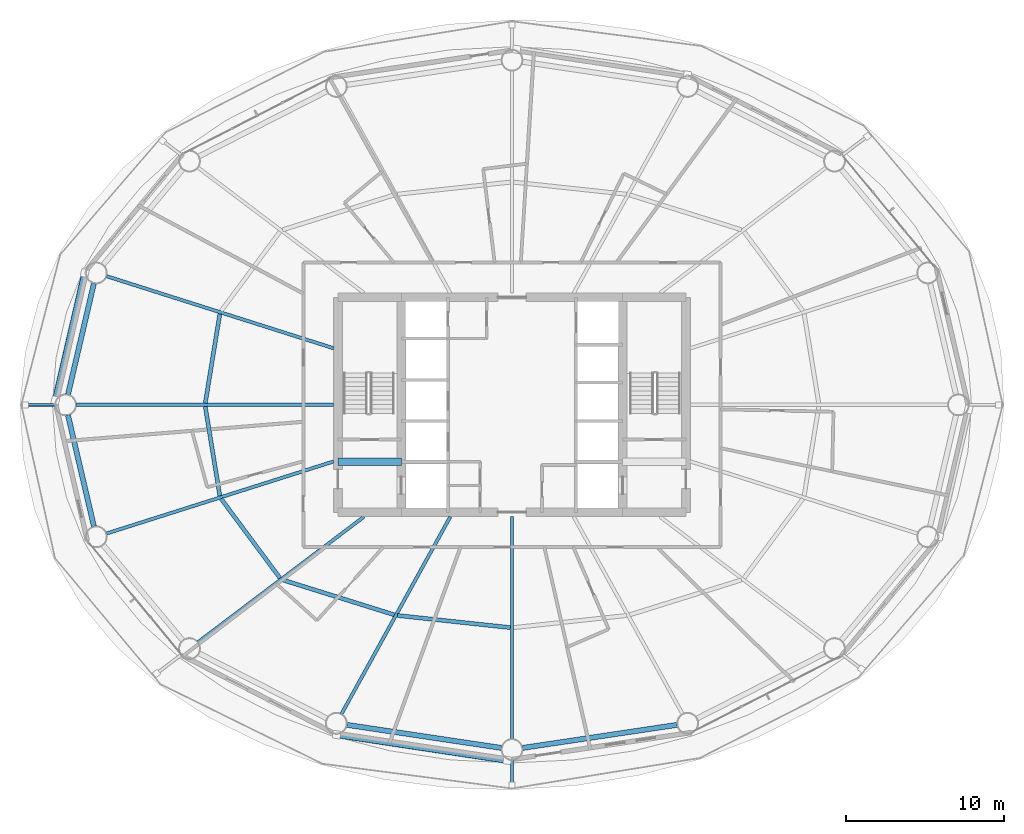
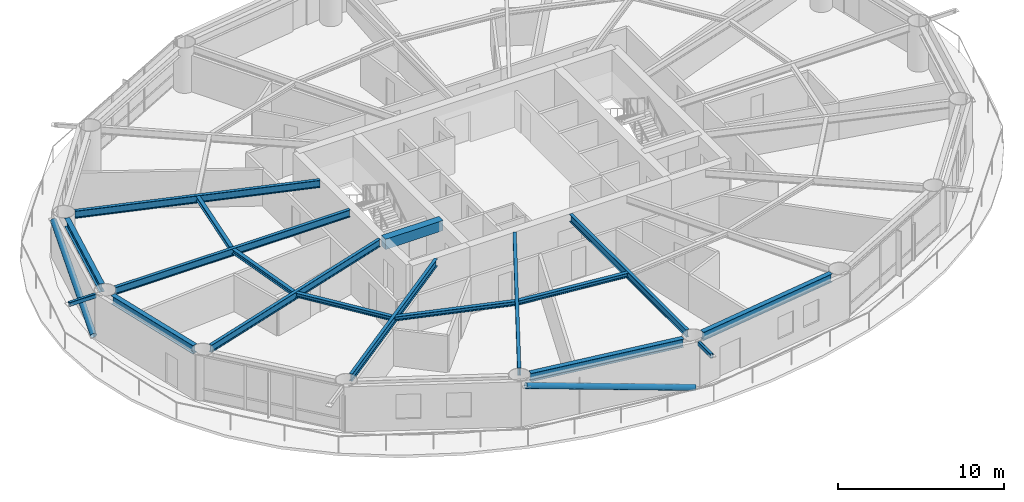
# One storey, part 3 of 24: 16 beams, 4 members.
"""IFC4 building model written with IfcOpenShell, lengths in metres."""

from ifc_helpers import new_model, si_unit, direction, frame, origin, origin_2d, place, context, subcontext, project, spatial, rectangle, hollow_rectangle, hollow_circle, i_section, extrude, material, material_profile, profile_set, type_object, element, save


model = new_model("IFC4")

# Units and contexts
model_context = context("Model", 3, precision=1e-05, world=origin(), true_north=direction((0.0, 1.0)))
body_context = subcontext(model_context, "Body", "Model", "MODEL_VIEW")
ifc_project = project(units=[si_unit("LENGTHUNIT", "METRE"), si_unit("AREAUNIT", "SQUARE_METRE"), si_unit("VOLUMEUNIT", "CUBIC_METRE"), si_unit("PLANEANGLEUNIT", "RADIAN"), si_unit("MASSUNIT", "GRAM", prefix="KILO")], contexts=[model_context])

# Site, building, storey
site_placement = place(None, origin())
site = spatial("IfcSite", under=ifc_project, at=site_placement, CompositionType="ELEMENT")
building_placement = place(site_placement, origin())
building = spatial("IfcBuilding", under=site, at=building_placement, Name="Sarneth Arch Tower", CompositionType="ELEMENT")
storey_placement = place(building_placement, frame((0.0, 0.0, 130.800048828125)))
storey = spatial("IfcBuildingStorey", under=building, at=storey_placement, Name="L33", CompositionType="ELEMENT", Elevation=130.800048828125)

# Beams
ifc_material_1 = material(Name="Steel S355", Category="steel")
ifc_material_profile_1 = material_profile(ifc_material_1, i_section(OverallWidth=0.25390625, OverallDepth=0.305908203125, WebThickness=0.0087890625, FlangeThickness=0.0146484375, FilletRadius=0.014892578125, at=origin_2d()), Name="W310x79")
ifc_profile_set_1 = profile_set([ifc_material_profile_1], Name="Steel S355")
beam_type_1 = type_object("IfcBeamType", Name="BM-JOIST-310A", PredefinedType="JOIST", material=ifc_profile_set_1)
for number, where, z_axis, x_axis, name in (
    (1, (29.521484375, 47.75390625, 3.1669921875), (-0.16120310833, -0.986921252109, 0.0), (0.986921252109, -0.16120310833, 0.0), "L33 Secondary floor joist 08"),
    (2, (28.5986328125, 41.89599609375, 3.1669921875), (0.16120310833, -0.986921252109, 0.0), (0.986921252109, 0.16120310833, 0.0), "L33 Secondary floor joist 09"),
):
    element("IfcBeam", number, at=place(storey_placement, frame(where, z_axis=z_axis, x_axis=x_axis)), inside=storey, type_object=beam_type_1, Name=name, PredefinedType="JOIST", context=body_context, shape_type="SweptSolid", body=[
        extrude(i_section(OverallWidth=0.25390625, OverallDepth=0.305908203125, WebThickness=0.0087890625, FlangeThickness=0.0146484375, FilletRadius=0.014892578125, at=origin_2d()), origin(), (0.0, 0.0, 1.0), 5.724853515625),
    ])
beam_1_placement = place(storey_placement, frame((29.6015625, 36.057373046875, 3.1669921875), z_axis=(0.596354224217, -0.80272139579, 0.0), x_axis=(0.80272139579, 0.596354224217, 0.0)))
element("IfcBeam", 3, at=beam_1_placement, inside=storey, type_object=beam_type_1, Name="L33 Secondary floor joist 10", PredefinedType="JOIST", context=body_context, shape_type="SweptSolid", body=[
    extrude(i_section(OverallWidth=0.25390625, OverallDepth=0.305908203125, WebThickness=0.0087890625, FlangeThickness=0.0146484375, FilletRadius=0.014892578125, at=origin_2d()), origin(), (0.0, 0.0, 1.0), 6.246337890625),
])
beam_2_placement = place(storey_placement, frame((33.490234375, 30.927001953125, 3.1669921875), z_axis=(0.9544870201, -0.298252457594, 0.0), x_axis=(0.298252457594, 0.9544870201, 0.0)))
element("IfcBeam", 4, at=beam_2_placement, inside=storey, type_object=beam_type_1, Name="L33 Secondary floor joist 11", PredefinedType="JOIST", context=body_context, shape_type="SweptSolid", body=[
    extrude(i_section(OverallWidth=0.25390625, OverallDepth=0.305908203125, WebThickness=0.0087890625, FlangeThickness=0.0146484375, FilletRadius=0.014892578125, at=origin_2d()), origin(), (0.0, 0.0, 1.0), 7.40234375),
])
beam_3_placement = place(storey_placement, frame((40.761474609375, 28.676513671875, 3.1669921875), z_axis=(0.99429330851, -0.106680910441, 0.0), x_axis=(0.106680910441, 0.99429330851, 0.0)))
element("IfcBeam", 5, at=beam_3_placement, inside=storey, type_object=beam_type_1, Name="L33 Secondary floor joist 12", PredefinedType="JOIST", context=body_context, shape_type="SweptSolid", body=[
    extrude(i_section(OverallWidth=0.25390625, OverallDepth=0.305908203125, WebThickness=0.0087890625, FlangeThickness=0.0146484375, FilletRadius=0.014892578125, at=origin_2d()), origin(), (0.0, 0.0, 1.0), 7.174560546875),
])
ifc_material_2 = material(Name="Concrete C50/60", Category="concrete")
ifc_material_profile_2 = material_profile(ifc_material_2, rectangle(XDim=0.5, YDim=0.75, at=origin_2d()), Name="RC-500x750")
ifc_profile_set_2 = profile_set([ifc_material_profile_2], Name="Concrete C50/60")
beam_type_2 = type_object("IfcBeamType", Name="BM-LINTEL-RC", PredefinedType="LINTEL", material=ifc_profile_set_2)
beam_4_placement = place(storey_placement, frame((37.0, 38.39990234375, 2.945068359375), z_axis=(1.0, 0.0, 0.0), x_axis=(0.0, 1.0, 0.0)))
element("IfcBeam", 6, at=beam_4_placement, inside=storey, type_object=beam_type_2, Name="L33 Core coupling lintel W", PredefinedType="LINTEL", context=body_context, shape_type="SweptSolid", body=[
    extrude(rectangle(XDim=0.5, YDim=0.75, at=origin_2d()), origin(), (0.0, 0.0, 1.0), 4.0),
])
ifc_material_3 = material(Name="Steel S355", Category="steel")
ifc_material_profile_3 = material_profile(ifc_material_3, i_section(OverallWidth=0.2109375, OverallDepth=0.5390625, WebThickness=0.01171875, FlangeThickness=0.018798828125, FilletRadius=0.01806640625, at=origin_2d()), Name="W530x109")
ifc_profile_set_3 = profile_set([ifc_material_profile_3], Name="Steel S355")
beam_type_3 = type_object("IfcBeamType", Name="BM-RAD-530B", PredefinedType="BEAM", material=ifc_profile_set_3)
beam_5_placement = place(storey_placement, frame((36.72509765625, 45.57763671875, 3.050537109375), z_axis=(-0.95316257761, 0.302458427958, 0.0), x_axis=(-0.302458427958, -0.95316257761, 0.0)))
element("IfcBeam", 7, at=beam_5_placement, inside=storey, type_object=beam_type_3, Name="L33 Radial floor girder 08", PredefinedType="BEAM", context=body_context, shape_type="SweptSolid", body=[
    extrude(i_section(OverallWidth=0.2109375, OverallDepth=0.5390625, WebThickness=0.01171875, FlangeThickness=0.018798828125, FilletRadius=0.01806640625, at=origin_2d()), origin(), (0.0, 0.0, 1.0), 15.0791015625),
])
beam_6_placement = place(storey_placement, frame((36.72509765625, 42.0, 3.050537109375), z_axis=(-1.0, 0.0, 0.0), x_axis=(0.0, -1.0, 0.0)))
element("IfcBeam", 8, at=beam_6_placement, inside=storey, type_object=beam_type_3, Name="L33 Radial floor girder 09", PredefinedType="BEAM", context=body_context, shape_type="SweptSolid", body=[
    extrude(i_section(OverallWidth=0.2109375, OverallDepth=0.5390625, WebThickness=0.01171875, FlangeThickness=0.018798828125, FilletRadius=0.01806640625, at=origin_2d()), origin(), (0.0, 0.0, 1.0), 16.28662109375),
])
beam_7_placement = place(storey_placement, frame((36.72509765625, 38.42236328125, 3.050537109375), z_axis=(-0.95316257761, -0.302458427958, 0.0), x_axis=(0.302458427958, -0.95316257761, 0.0)))
element("IfcBeam", 9, at=beam_7_placement, inside=storey, type_object=beam_type_3, Name="L33 Radial floor girder 10", PredefinedType="BEAM", context=body_context, shape_type="SweptSolid", body=[
    extrude(i_section(OverallWidth=0.2109375, OverallDepth=0.5390625, WebThickness=0.01171875, FlangeThickness=0.018798828125, FilletRadius=0.01806640625, at=origin_2d()), origin(), (0.0, 0.0, 1.0), 15.0791015625),
])
beam_8_placement = place(storey_placement, frame((38.63818359375, 34.925048828125, 3.050537109375), z_axis=(-0.797801476102, -0.602920230818, 0.0), x_axis=(0.602920230818, -0.797801476102, 0.0)))
element("IfcBeam", 10, at=beam_8_placement, inside=storey, type_object=beam_type_3, Name="L33 Radial floor girder 11", PredefinedType="BEAM", context=body_context, shape_type="SweptSolid", body=[
    extrude(i_section(OverallWidth=0.2109375, OverallDepth=0.5390625, WebThickness=0.01171875, FlangeThickness=0.018798828125, FilletRadius=0.01806640625, at=origin_2d()), origin(), (0.0, 0.0, 1.0), 13.15771484375),
])
beam_9_placement = place(storey_placement, frame((44.09716796875, 34.925048828125, 3.050537109375), z_axis=(-0.48301301286, -0.875613173387, 0.0), x_axis=(0.875613173387, -0.48301301286, 0.0)))
element("IfcBeam", 11, at=beam_9_placement, inside=storey, type_object=beam_type_3, Name="L33 Radial floor girder 12", PredefinedType="BEAM", context=body_context, shape_type="SweptSolid", body=[
    extrude(i_section(OverallWidth=0.2109375, OverallDepth=0.5390625, WebThickness=0.01171875, FlangeThickness=0.018798828125, FilletRadius=0.01806640625, at=origin_2d()), origin(), (0.0, 0.0, 1.0), 14.246826171875),
])
beam_10_placement = place(storey_placement, frame((48.0, 34.925048828125, 3.050537109375), z_axis=(0.0, -1.0, 0.0), x_axis=(1.0, 0.0, 0.0)))
element("IfcBeam", 12, at=beam_10_placement, inside=storey, type_object=beam_type_3, Name="L33 Radial floor girder 13", PredefinedType="BEAM", context=body_context, shape_type="SweptSolid", body=[
    extrude(i_section(OverallWidth=0.2109375, OverallDepth=0.5390625, WebThickness=0.01171875, FlangeThickness=0.018798828125, FilletRadius=0.01806640625, at=origin_2d()), origin(), (0.0, 0.0, 1.0), 14.050048828125),
])
ifc_material_4 = material(Name="Steel S355", Category="steel")
ifc_material_profile_4 = material_profile(ifc_material_4, i_section(OverallWidth=0.323974609375, OverallDepth=0.611083984375, WebThickness=0.0126953125, FlangeThickness=0.01904296875, FilletRadius=0.01904296875, at=origin_2d()), Name="W610x155")
ifc_profile_set_4 = profile_set([ifc_material_profile_4], Name="Steel S355")
beam_type_4 = type_object("IfcBeamType", Name="BM-SPAN-610B", PredefinedType="SPANDREL", material=ifc_profile_set_4)
for number, where, z_axis, x_axis, name in (
    (13, (21.555419921875, 49.68505859375, 3.014404296875), (-0.22708522689, -0.973874889156, 0.0), (0.973874889156, -0.22708522689, 0.0), "L33 Perimeter spandrel beam 08"),
    (14, (19.916748046875, 41.342529296875, 3.014404296875), (0.22708522689, -0.973874889156, 0.0), (0.973874889156, 0.22708522689, 0.0), "L33 Perimeter spandrel beam 09"),
):
    element("IfcBeam", number, at=place(storey_placement, frame(where, z_axis=z_axis, x_axis=x_axis)), inside=storey, type_object=beam_type_4, Name=name, PredefinedType="SPANDREL", context=body_context, shape_type="SweptSolid", body=[
        extrude(i_section(OverallWidth=0.323974609375, OverallDepth=0.611083984375, WebThickness=0.0126953125, FlangeThickness=0.01904296875, FilletRadius=0.01904296875, at=origin_2d()), origin(), (0.0, 0.0, 1.0), 7.216064453125),
    ])
for number, where, z_axis, x_axis, name in (
    (15, (37.557373046875, 21.759765625, 3.014404296875), (0.989029828744, -0.147715936359, 0.0), (0.147715936359, 0.989029828744, 0.0), "L33 Perimeter spandrel beam 12"),
    (16, (48.66748046875, 20.2998046875, 3.014404296875), (0.989029828744, 0.147715936359, 0.0), (-0.147715936359, 0.989029828744, 0.0), "L33 Perimeter spandrel beam 13"),
):
    element("IfcBeam", number, at=place(storey_placement, frame(where, z_axis=z_axis, x_axis=x_axis)), inside=storey, type_object=beam_type_4, Name=name, PredefinedType="SPANDREL", context=body_context, shape_type="SweptSolid", body=[
        extrude(i_section(OverallWidth=0.323974609375, OverallDepth=0.611083984375, WebThickness=0.0126953125, FlangeThickness=0.01904296875, FilletRadius=0.01904296875, at=origin_2d()), origin(), (0.0, 0.0, 1.0), 9.883544921875),
    ])

# Members
ifc_material_5 = material(Name="Steel S355", Category="steel")
ifc_material_profile_5 = material_profile(ifc_material_5, hollow_rectangle(XDim=0.199951171875, YDim=0.300048828125, WallThickness=0.012451171875, InnerFilletRadius=0.018798828125, OuterFilletRadius=0.03125, at=origin_2d()), Name="RHS300x200x12.5")
ifc_profile_set_5 = profile_set([ifc_material_profile_5], Name="Steel S355")
member_type_1 = type_object("IfcMemberType", Name="MEM-CANT-STRUT", PredefinedType="STRUT", material=ifc_profile_set_5)
member_1_placement = place(storey_placement, frame((19.08837890625, 42.0, 3.159912109375), z_axis=(-1.0, 0.0, 0.0), x_axis=(0.0, -1.0, 0.0)))
element("IfcMember", 17, at=member_1_placement, inside=storey, type_object=member_type_1, Name="L33 Balcony cantilever bracket 09", PredefinedType="STRUT", context=body_context, shape_type="SweptSolid", body=[
    extrude(hollow_rectangle(XDim=0.199951171875, YDim=0.300048828125, WallThickness=0.012451171875, InnerFilletRadius=0.018798828125, OuterFilletRadius=0.03125, at=origin_2d()), origin(), (0.0, 0.0, 1.0), 1.845703125),
])
member_2_placement = place(storey_placement, frame((48.0, 19.52490234375, 3.159912109375), z_axis=(0.0, -1.0, 0.0), x_axis=(1.0, 0.0, 0.0)))
element("IfcMember", 18, at=member_2_placement, inside=storey, type_object=member_type_1, Name="L33 Balcony cantilever bracket 13", PredefinedType="STRUT", context=body_context, shape_type="SweptSolid", body=[
    extrude(hollow_rectangle(XDim=0.199951171875, YDim=0.300048828125, WallThickness=0.012451171875, InnerFilletRadius=0.018798828125, OuterFilletRadius=0.03125, at=origin_2d()), origin(), (0.0, 0.0, 1.0), 1.55419921875),
])
ifc_material_6 = material(Name="Steel S355", Category="steel")
ifc_material_profile_6 = material_profile(ifc_material_6, hollow_circle(Radius=0.202880859375, WallThickness=0.01611328125, at=origin_2d()), Name="CHS406x16")
ifc_profile_set_6 = profile_set([ifc_material_profile_6], Name="Steel S355")
member_type_2 = type_object("IfcMemberType", Name="MEM-DIAG-BR2", PredefinedType="BRACE", material=ifc_profile_set_6)
member_3_placement = place(storey_placement, frame((19.121337890625, 42.292236328125, 0.02001953125), z_axis=(0.212336995692, 0.917970615256, 0.335026789657), x_axis=(-0.974275349464, 0.225360918143, 0.0)))
element("IfcMember", 19, at=member_3_placement, inside=storey, type_object=member_type_2, Name="L33 Perimeter frame diagonal 08", PredefinedType="BRACE", context=body_context, shape_type="SweptSolid", body=[
    extrude(hollow_circle(Radius=0.202880859375, WallThickness=0.01611328125, at=origin_2d()), origin(), (0.0, 0.0, 1.0), 8.755615234375),
])
member_4_placement = place(storey_placement, frame((47.703369140625, 19.5146484375, 0.02001953125), z_axis=(-0.954983745501, 0.143805810843, 0.25947241587), x_axis=(-0.148905755657, -0.988851392239, 0.0)))
element("IfcMember", 20, at=member_4_placement, inside=storey, type_object=member_type_2, Name="L33 Perimeter frame diagonal 12", PredefinedType="BRACE", context=body_context, shape_type="SweptSolid", body=[
    extrude(hollow_circle(Radius=0.202880859375, WallThickness=0.01611328125, at=origin_2d()), origin(), (0.0, 0.0, 1.0), 11.30517578125),
])

save(model, "model.ifc")
